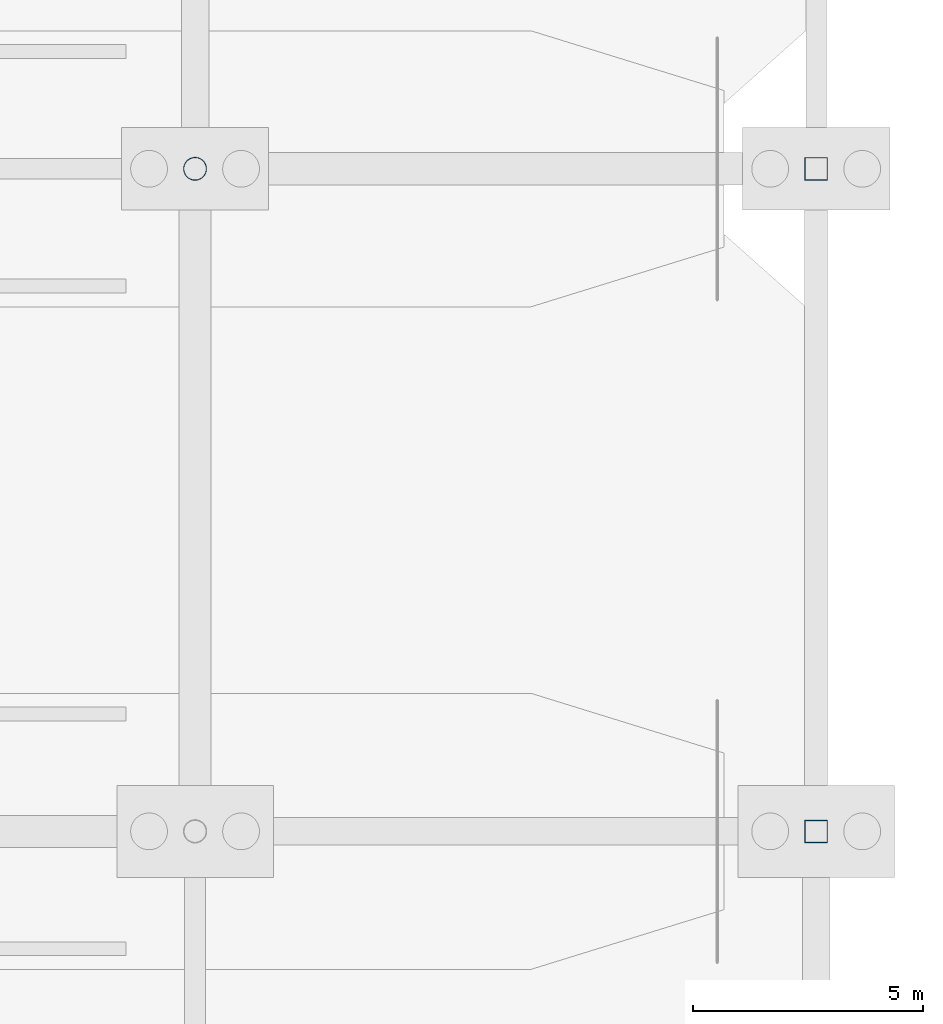
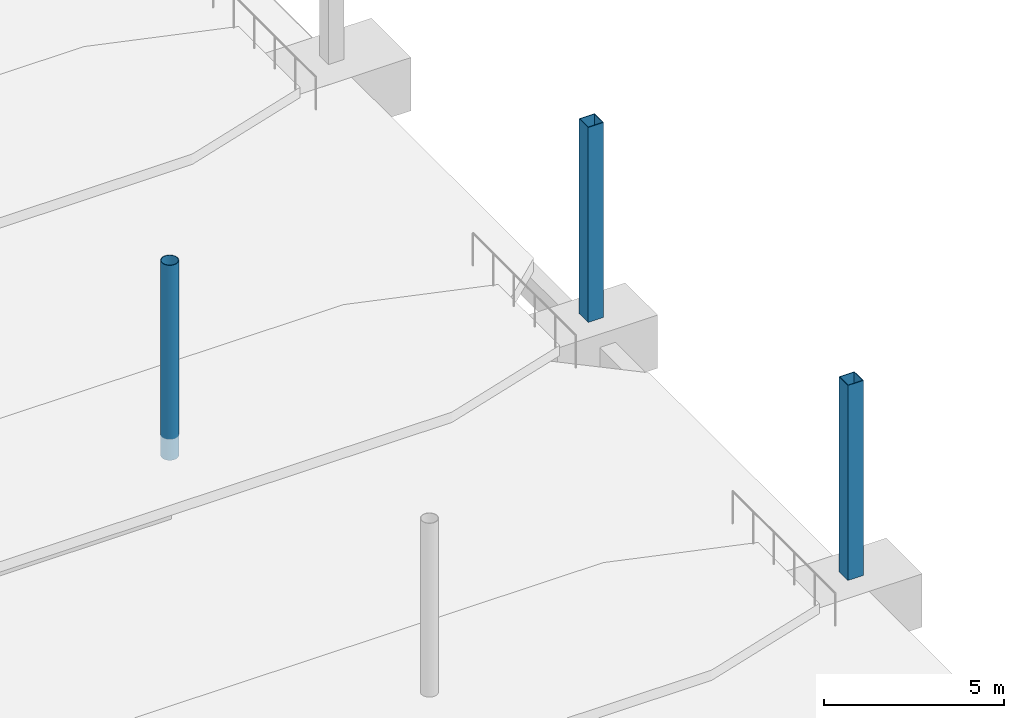
# One storey, part 28 of 115: 3 columns.
"""IFC4 building model written with IfcOpenShell, lengths in metres."""

from ifc_helpers import new_model, si_unit, direction, frame, origin, origin_2d, place, context, subcontext, project, spatial, hollow_rectangle, hollow_circle, extrude, material, material_profile, profile_set, type_object, element, save


model = new_model("IFC4")

# Units and contexts
model_context = context("Model", 3, precision=1e-05, world=origin(), true_north=direction((0.0, 1.0)))
body_context = subcontext(model_context, "Body", "Model", "MODEL_VIEW")
ifc_project = project(units=[si_unit("LENGTHUNIT", "METRE"), si_unit("AREAUNIT", "SQUARE_METRE"), si_unit("VOLUMEUNIT", "CUBIC_METRE"), si_unit("PLANEANGLEUNIT", "RADIAN"), si_unit("MASSUNIT", "GRAM", prefix="KILO")], contexts=[model_context])

# Site, building, storey
site_placement = place(None, origin())
site = spatial("IfcSite", under=ifc_project, at=site_placement, CompositionType="ELEMENT")
building_placement = place(site_placement, origin())
building = spatial("IfcBuilding", under=site, at=building_placement, Name="Tamarisk Ironworks Central Station", CompositionType="ELEMENT")
storey_placement = place(building_placement, origin())
storey = spatial("IfcBuildingStorey", under=building, at=storey_placement, Name="L00", CompositionType="ELEMENT", Elevation=0.0)

# Columns
ifc_material = material(Name="Structural steel S355J2H", Category="steel")
ifc_material_profile_1 = material_profile(ifc_material, hollow_rectangle(XDim=0.5, YDim=0.5, WallThickness=0.02001953125, at=origin_2d()), Name="SHS 500x500x20")
ifc_profile_set_1 = profile_set([ifc_material_profile_1], Name="Structural steel S355J2H")
column_type_1 = type_object("IfcColumnType", Name="COL-S13", PredefinedType="COLUMN", material=ifc_profile_set_1)
for number, where, z_axis, x_axis, name in (
    (1, (180.0, 36.0, 0.0), (0.0, 0.0, 1.0), (1.0, 0.0, 0.0), "L00 column V1-20D"),
    (2, (180.0, 50.39990234375, 0.0), (0.0, 0.0, 1.0), (1.0, 0.0, 0.0), "L00 column V1-20E"),
):
    element("IfcColumn", number, at=place(storey_placement, frame(where, z_axis=z_axis, x_axis=x_axis)), inside=storey, type_object=column_type_1, Name=name, PredefinedType="COLUMN", context=body_context, shape_type="SweptSolid", body=[
        extrude(hollow_rectangle(XDim=0.5, YDim=0.5, WallThickness=0.02001953125, at=origin_2d()), origin(), (0.0, 0.0, 1.0), 6.60009765625),
    ])
ifc_material_profile_2 = material_profile(ifc_material, hollow_circle(Radius=0.25390625, WallThickness=0.01611328125, at=origin_2d()), Name="CHS 508x16")
ifc_profile_set_2 = profile_set([ifc_material_profile_2], Name="Structural steel S355J2H")
column_type_2 = type_object("IfcColumnType", Name="COL-S16", PredefinedType="COLUMN", material=ifc_profile_set_2)
column_placement = place(storey_placement, frame((166.5, 50.39990234375, 0.0), z_axis=(0.0, 0.0, 1.0), x_axis=(1.0, 0.0, 0.0)))
element("IfcColumn", 3, at=column_placement, inside=storey, type_object=column_type_2, Name="L00 column V1-19E", PredefinedType="COLUMN", context=body_context, shape_type="SweptSolid", body=[
    extrude(hollow_circle(Radius=0.25390625, WallThickness=0.01611328125, at=origin_2d()), origin(), (0.0, 0.0, 1.0), 6.60009765625),
])

save(model, "model.ifc")
